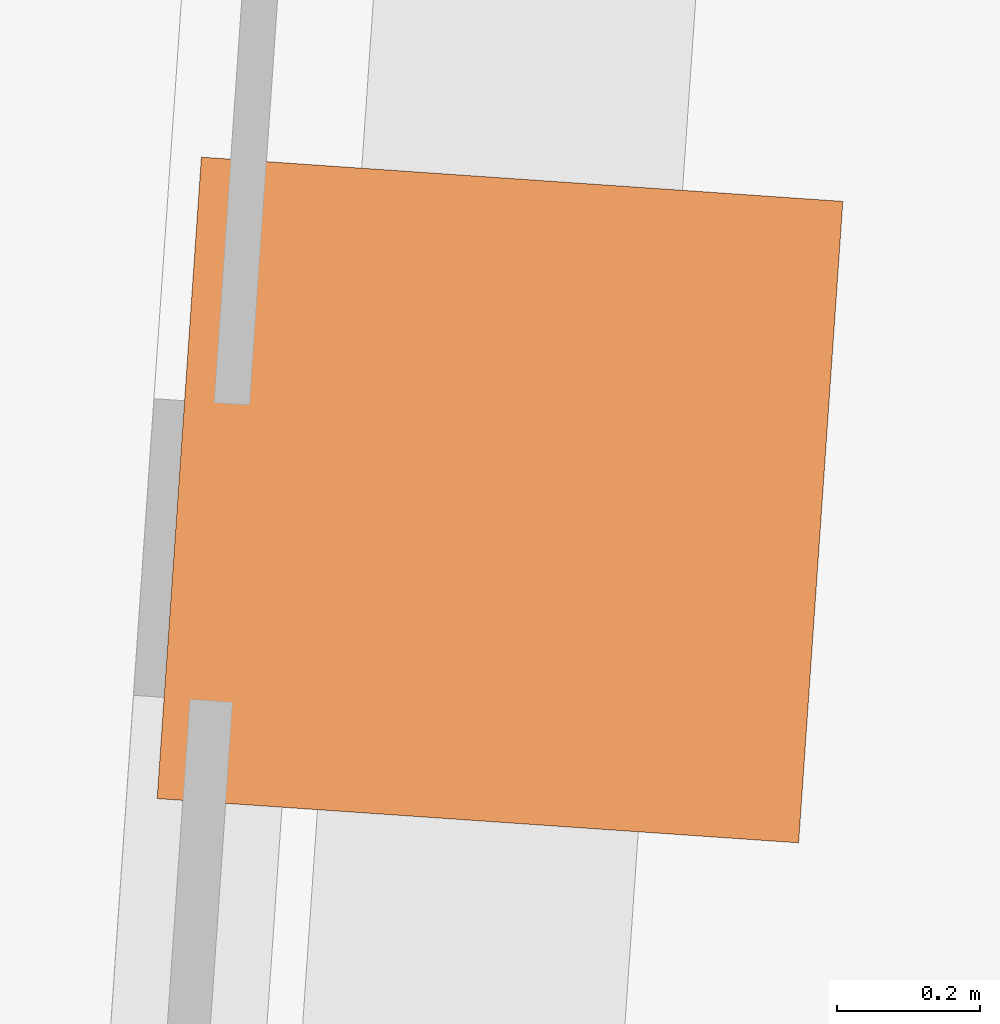
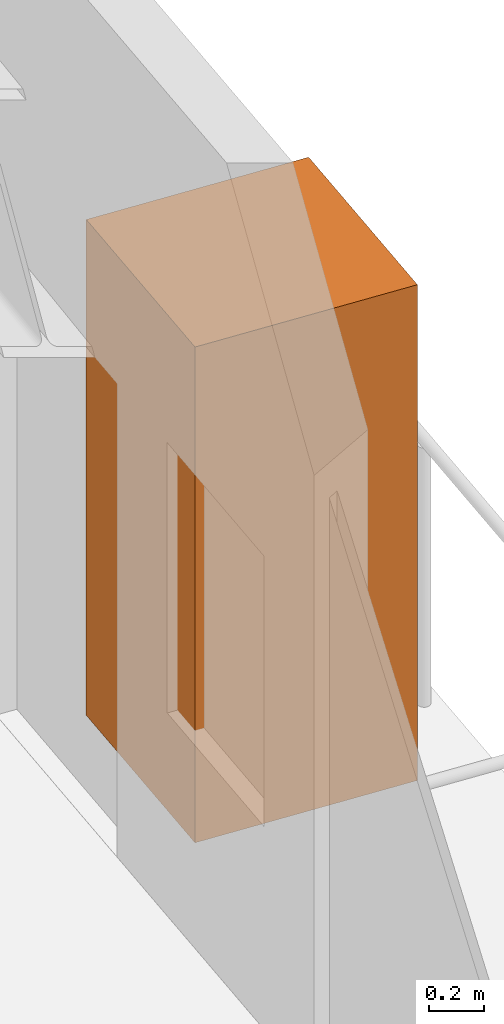
# One storey, part 10 of 10: 1 geographic element.
"""IFC4 building model written with IfcOpenShell, lengths in metres."""

from ifc_helpers import new_model, si_unit, direction, frame, origin, origin_2d, place, context, subcontext, project, spatial, rectangle, extrude, material, type_object, element, save


model = new_model("IFC4")

# Units and contexts
model_context = context("Model", 3, precision=1e-05, world=origin(), true_north=direction((0.0, 1.0)))
body_context = subcontext(model_context, "Body", "Model", "MODEL_VIEW")
ifc_project = project(units=[si_unit("LENGTHUNIT", "METRE"), si_unit("AREAUNIT", "SQUARE_METRE"), si_unit("VOLUMEUNIT", "CUBIC_METRE"), si_unit("PLANEANGLEUNIT", "RADIAN"), si_unit("MASSUNIT", "GRAM", prefix="KILO")], contexts=[model_context])

# Site, building, storey
site_placement = place(None, origin())
site = spatial("IfcSite", under=ifc_project, at=site_placement, CompositionType="ELEMENT")
building_placement = place(site_placement, origin())
building = spatial("IfcBuilding", under=site, at=building_placement, Name="Verdant Reach Tower", CompositionType="ELEMENT")
storey_placement = place(building_placement, frame((0.0, 0.0, 210.0)))
storey = spatial("IfcBuildingStorey", under=building, at=storey_placement, Name="L48", CompositionType="ELEMENT", Elevation=210.0)

# Geographic element
ifc_material = material(Name="Planting")
geographic_element_type = type_object("IfcGeographicElementType", Name="EN-TREE", PredefinedType="USERDEFINED", material=ifc_material)
geographic_element_placement = place(storey_placement, frame((23.9560546875, 55.1982421875, 0.39990234375), z_axis=(0.0, 0.0, 1.0), x_axis=(0.068802091615, 0.997630328423, 0.0)))
element("IfcGeographicElement", 1, at=geographic_element_placement, inside=storey, type_object=geographic_element_type, Name="Balcony tree, Queen palm (Syagrus romanzoffiana), L48 1", ObjectType="TREE", PredefinedType="USERDEFINED", context=body_context, shape_type="SweptSolid", body=[
    extrude(rectangle(XDim=0.89990234375, YDim=0.89990234375, at=origin_2d()), origin(), (0.0, 0.0, 1.0), 2.199951171875),
])

save(model, "model.ifc")
